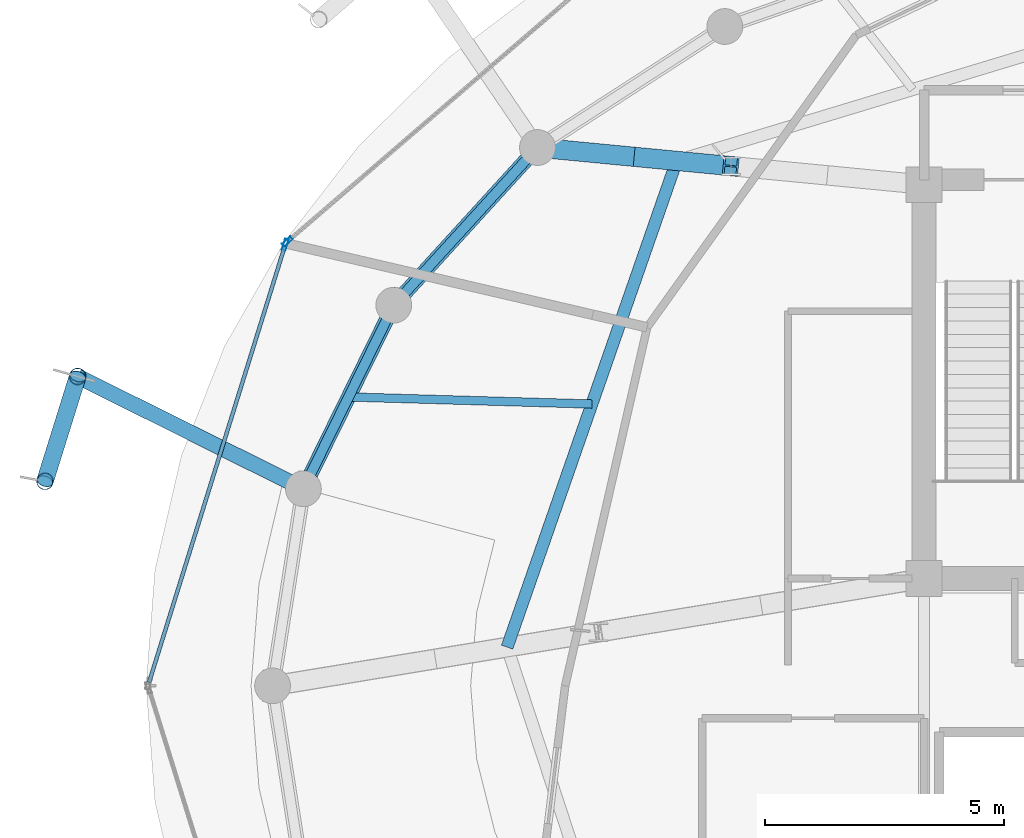
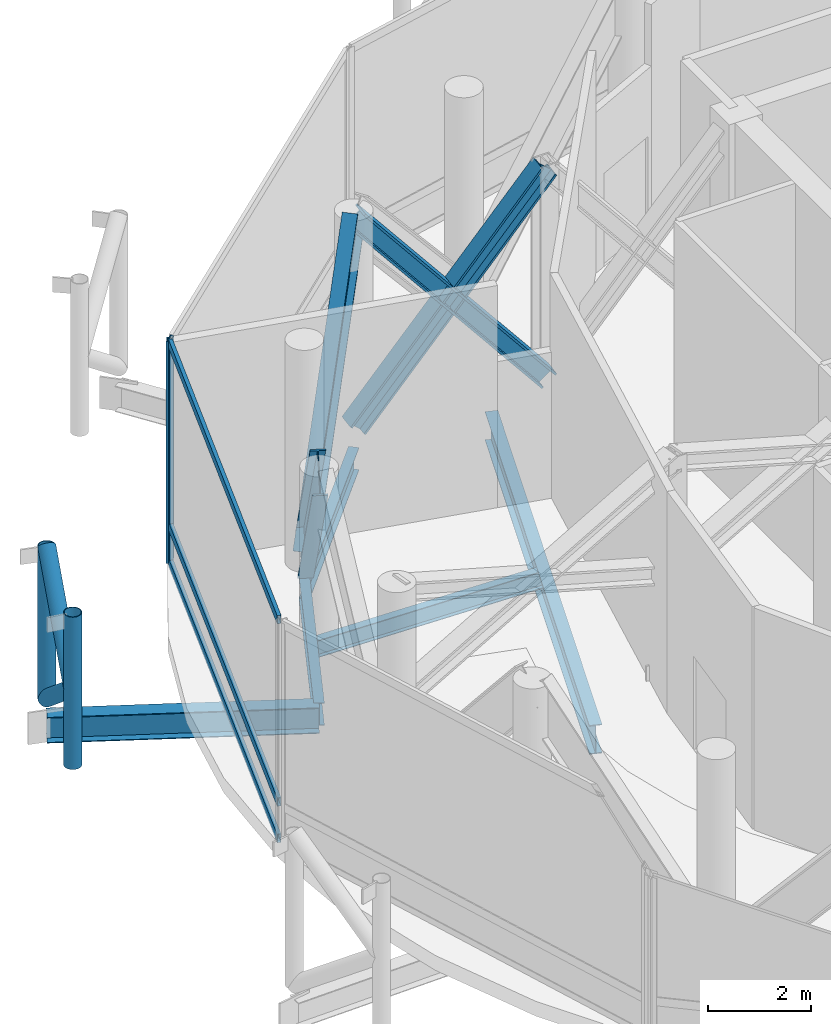
# One storey, part 7 of 26: 13 members, 5 beams, 2 elements without a shape of their own.
"""IFC4 building model written with IfcOpenShell, lengths in metres."""

from ifc_helpers import new_model, si_unit, direction, frame, origin, origin_2d, place, context, subcontext, project, spatial, hollow_rectangle, hollow_circle, i_section, extrude, material, layer, layer_set, material_profile, profile_set, type_object, element, aggregate, save


model = new_model("IFC4")

# Units and contexts
model_context = context("Model", 3, precision=1e-05, world=origin(), true_north=direction((0.0, 1.0)))
body_context = subcontext(model_context, "Body", "Model", "MODEL_VIEW")
ifc_project = project(units=[si_unit("LENGTHUNIT", "METRE"), si_unit("AREAUNIT", "SQUARE_METRE"), si_unit("VOLUMEUNIT", "CUBIC_METRE"), si_unit("PLANEANGLEUNIT", "RADIAN"), si_unit("MASSUNIT", "GRAM", prefix="KILO")], contexts=[model_context])

# Site, building, storey
site_placement = place(None, origin())
site = spatial("IfcSite", under=ifc_project, at=site_placement, CompositionType="ELEMENT")
building_placement = place(site_placement, origin())
building = spatial("IfcBuilding", under=site, at=building_placement, Name="Nuhasar Tower", CompositionType="ELEMENT")
storey_placement = place(building_placement, frame((0.0, 0.0, 301.199951171875)))
storey = spatial("IfcBuildingStorey", under=building, at=storey_placement, Name="L75", CompositionType="ELEMENT", Elevation=301.199951171875)

# Members
ifc_material_1 = material(Name="Steel S460", Category="steel")
ifc_material_profile_1 = material_profile(ifc_material_1, i_section(OverallWidth=0.306884765625, OverallDepth=0.927001953125, WebThickness=0.019287109375, FlangeThickness=0.031982421875, at=origin_2d()), Name="W36X194")
ifc_profile_set_1 = profile_set([ifc_material_profile_1], Name="Steel S460")
member_type_1 = type_object("IfcMemberType", Name="BLT-DIAG-W36B", PredefinedType="CHORD", material=ifc_profile_set_1)
member_1_placement = place(storey_placement, frame((22.589111328125, 34.77490234375, 0.150146484375), z_axis=(0.451478957779, 0.495261397858, 0.742214860047), x_axis=(-0.739017432293, 0.673686302939, 0.0)))
element("IfcMember", 1, at=member_1_placement, inside=storey, type_object=member_type_1, Name="L75 Belt Truss Diagonal 10", PredefinedType="CHORD", context=body_context, shape_type="SweptSolid", body=[
    extrude(i_section(OverallWidth=0.306884765625, OverallDepth=0.927001953125, WebThickness=0.019287109375, FlangeThickness=0.031982421875, at=origin_2d()), origin(), (0.0, 0.0, 1.0), 6.669189453125),
])
member_2_placement = place(storey_placement, frame((22.589111328125, 34.77490234375, 0.150146484375), z_axis=(-0.289078285909, -0.587439586157, 0.75587596683), x_axis=(0.897244952377, -0.441533119295, 0.0)))
element("IfcMember", 2, at=member_2_placement, inside=storey, type_object=member_type_1, Name="L75 Belt Truss Diagonal 11", PredefinedType="CHORD", context=body_context, shape_type="SweptSolid", body=[
    extrude(i_section(OverallWidth=0.306884765625, OverallDepth=0.927001953125, WebThickness=0.019287109375, FlangeThickness=0.031982421875, at=origin_2d()), origin(), (0.0, 0.0, 1.0), 6.548583984375),
])

# Beams
ifc_material_2 = material(Name="Steel S355", Category="steel")
ifc_material_profile_2 = material_profile(ifc_material_2, i_section(OverallWidth=0.25390625, OverallDepth=0.68408203125, WebThickness=0.012451171875, FlangeThickness=0.018798828125, at=origin_2d()), Name="W27X94")
ifc_profile_set_2 = profile_set([ifc_material_profile_2], Name="Steel S355")
beam_type_1 = type_object("IfcBeamType", Name="BM-INRING-W27X94", PredefinedType="BEAM", material=ifc_profile_set_2)
beam_1_placement = place(storey_placement, frame((28.51611328125, 37.798095703125, -0.69189453125), z_axis=(-0.329211236979, -0.944256300718, 0.0), x_axis=(0.944256300718, -0.329211236979, 0.0)))
element("IfcBeam", 3, at=beam_1_placement, inside=storey, type_object=beam_type_1, Name="L75 Inner Header Beam 07", PredefinedType="BEAM", context=body_context, shape_type="SweptSolid", body=[
    extrude(i_section(OverallWidth=0.25390625, OverallDepth=0.68408203125, WebThickness=0.012451171875, FlangeThickness=0.018798828125, at=origin_2d()), origin(), (0.0, 0.0, 1.0), 10.78955078125),
])
ifc_material_profile_3 = material_profile(ifc_material_2, i_section(OverallWidth=0.177978515625, OverallDepth=0.406005859375, WebThickness=0.0078125, FlangeThickness=0.0126953125, at=origin_2d()), Name="W16X40")
ifc_profile_set_3 = profile_set([ifc_material_profile_3], Name="Steel S355")
beam_type_2 = type_object("IfcBeamType", Name="BM-JST-W16X40", PredefinedType="JOIST", material=ifc_profile_set_3)
beam_2_placement = place(storey_placement, frame((26.739990234375, 32.7041015625, -0.552978515625), z_axis=(-0.999579139243, 0.02900938453, 0.0), x_axis=(-0.02900938453, -0.999579139243, 0.0)))
element("IfcBeam", 4, at=beam_2_placement, inside=storey, type_object=beam_type_2, Name="L75 Secondary Floor Joist 07", PredefinedType="JOIST", context=body_context, shape_type="SweptSolid", body=[
    extrude(i_section(OverallWidth=0.177978515625, OverallDepth=0.406005859375, WebThickness=0.0078125, FlangeThickness=0.0126953125, at=origin_2d()), origin(), (0.0, 0.0, 1.0), 5.10009765625),
])
ifc_material_profile_4 = material_profile(ifc_material_2, i_section(OverallWidth=0.2099609375, OverallDepth=0.537109375, WebThickness=0.010986328125, FlangeThickness=0.017333984375, at=origin_2d()), Name="W21X68")
ifc_profile_set_4 = profile_set([ifc_material_profile_4], Name="Steel S355")
beam_type_3 = type_object("IfcBeamType", Name="BM-RING-W21X68", PredefinedType="SPANDREL", material=ifc_profile_set_4)
beam_3_placement = place(storey_placement, frame((25.60009765625, 38.077880859375, -0.617919921875), z_axis=(-0.673686302939, -0.739017432293, 0.0), x_axis=(0.739017432293, -0.673686302939, 0.0)))
element("IfcBeam", 5, at=beam_3_placement, inside=storey, type_object=beam_type_3, Name="L75 Perimeter Ring Spandrel 10", PredefinedType="SPANDREL", context=body_context, shape_type="SweptSolid", body=[
    extrude(i_section(OverallWidth=0.2099609375, OverallDepth=0.537109375, WebThickness=0.010986328125, FlangeThickness=0.017333984375, at=origin_2d()), origin(), (0.0, 0.0, 1.0), 4.469482421875),
])
beam_4_placement = place(storey_placement, frame((22.589111328125, 34.77490234375, -0.617919921875), z_axis=(-0.441533119295, -0.897244952377, 0.0), x_axis=(0.897244952377, -0.441533119295, 0.0)))
element("IfcBeam", 6, at=beam_4_placement, inside=storey, type_object=beam_type_3, Name="L75 Perimeter Ring Spandrel 11", PredefinedType="SPANDREL", context=body_context, shape_type="SweptSolid", body=[
    extrude(i_section(OverallWidth=0.2099609375, OverallDepth=0.537109375, WebThickness=0.010986328125, FlangeThickness=0.017333984375, at=origin_2d()), origin(), (0.0, 0.0, 1.0), 4.28759765625),
])
ifc_material_profile_5 = material_profile(ifc_material_2, i_section(OverallWidth=0.323974609375, OverallDepth=0.611083984375, WebThickness=0.0126953125, FlangeThickness=0.01904296875, at=origin_2d()), Name="W24X104")
ifc_profile_set_5 = profile_set([ifc_material_profile_5], Name="Steel S355")
beam_type_4 = type_object("IfcBeamType", Name="BM-TIE-W24X104", PredefinedType="BEAM", material=ifc_profile_set_5)
beam_5_placement = place(storey_placement, frame((20.696044921875, 30.927978515625, -0.655029296875), z_axis=(-0.895294451274, 0.445474853969, 0.0), x_axis=(-0.445474853969, -0.895294451274, 0.0)))
element("IfcBeam", 7, at=beam_5_placement, inside=storey, type_object=beam_type_4, Name="L75 Exoskeleton Node Tie Beam 06", PredefinedType="BEAM", context=body_context, shape_type="SweptSolid", body=[
    extrude(i_section(OverallWidth=0.323974609375, OverallDepth=0.611083984375, WebThickness=0.0126953125, FlangeThickness=0.01904296875, at=origin_2d()), origin(), (0.0, 0.0, 1.0), 5.281982421875),
])

# Curtain wall, member
ifc_material_3 = material(Name="Aluminium 6063-T6", Category="aluminium")
ifc_layer = layer(ifc_material_3, 0.219970703125)
ifc_layer_set = layer_set([ifc_layer], Name="Aluminium 6063-T6")
curtain_wall_type = type_object("IfcCurtainWallType", Name="CW-CROWN", PredefinedType="NOTDEFINED", material=ifc_layer_set)
curtain_wall_1_placement = place(storey_placement, origin())
curtain_wall_1 = element("IfcCurtainWall", 8, at=curtain_wall_1_placement, inside=storey, type_object=curtain_wall_type, Name="L75 Unitised Curtain Wall 05", PredefinedType="NOTDEFINED")
ifc_material_profile_6 = material_profile(ifc_material_3, hollow_rectangle(XDim=0.080078125, YDim=0.239990234375, WallThickness=0.0048828125, at=origin_2d()), Name="CWM-7")
ifc_profile_set_6 = profile_set([ifc_material_profile_6], Name="Aluminium 6063-T6")
member_type_2 = type_object("IfcMemberType", Name="CW-MUL-S7", PredefinedType="MULLION", material=ifc_profile_set_6)
member_3_placement = place(storey_placement, frame((20.3583984375, 36.106201171875, 0.0), z_axis=(0.0, 0.0, 1.0), x_axis=(0.652363814796, -0.757905965898, 0.0)))
member_3 = element("IfcMember", 9, at=member_3_placement, type_object=member_type_2, Name="CW-CR mullion 2", PredefinedType="MULLION", context=body_context, shape_type="SweptSolid", body=[
    extrude(hollow_rectangle(XDim=0.080078125, YDim=0.239990234375, WallThickness=0.0048828125, at=origin_2d()), origin(), (0.0, 0.0, 1.0), 5.25),
])
aggregate(curtain_wall_1, [member_3])

# Curtain wall, members
curtain_wall_2_placement = place(storey_placement, origin())
curtain_wall_2 = element("IfcCurtainWall", 10, at=curtain_wall_2_placement, inside=storey, type_object=curtain_wall_type, Name="L75 Unitised Curtain Wall 06", PredefinedType="NOTDEFINED")
member_4_placement = place(storey_placement, frame((20.316162109375, 36.041748046875, 0.0), z_axis=(0.0, 0.0, 1.0), x_axis=(0.954830829827, -0.297149939275, 0.0)))
member_4 = element("IfcMember", 11, at=member_4_placement, type_object=member_type_2, Name="CW-CR mullion 1", PredefinedType="MULLION", context=body_context, shape_type="SweptSolid", body=[
    extrude(hollow_rectangle(XDim=0.080078125, YDim=0.239990234375, WallThickness=0.0048828125, at=origin_2d()), origin(), (0.0, 0.0, 1.0), 5.25),
])
ifc_material_profile_7 = material_profile(ifc_material_3, hollow_rectangle(XDim=0.080078125, YDim=0.199951171875, WallThickness=0.00439453125, at=origin_2d()), Name="CWT-7")
ifc_profile_set_7 = profile_set([ifc_material_profile_7], Name="Aluminium 6063-T6")
member_type_3 = type_object("IfcMemberType", Name="CW-TRN-S7", PredefinedType="USERDEFINED", material=ifc_profile_set_7)
member_5_placement = place(storey_placement, frame((20.30419921875, 36.003662109375, 0.0400390625), z_axis=(-0.297138999145, -0.954834234403, 0.0), x_axis=(0.954834234403, -0.297138999145, 0.0)))
member_5 = element("IfcMember", 12, at=member_5_placement, type_object=member_type_3, Name="CW-CR transom 1.1", ObjectType="TRANSOM", PredefinedType="USERDEFINED", context=body_context, shape_type="SweptSolid", body=[
    extrude(hollow_rectangle(XDim=0.080078125, YDim=0.199951171875, WallThickness=0.00439453125, at=origin_2d()), origin(), (0.0, 0.0, 1.0), 9.558837890625),
])
member_6_placement = place(storey_placement, frame((20.30419921875, 36.003662109375, 0.900146484375), z_axis=(-0.297138999145, -0.954834234403, 0.0), x_axis=(0.954834234403, -0.297138999145, 0.0)))
member_6 = element("IfcMember", 13, at=member_6_placement, type_object=member_type_3, Name="CW-CR transom 1.2", ObjectType="TRANSOM", PredefinedType="USERDEFINED", context=body_context, shape_type="SweptSolid", body=[
    extrude(hollow_rectangle(XDim=0.080078125, YDim=0.199951171875, WallThickness=0.00439453125, at=origin_2d()), origin(), (0.0, 0.0, 1.0), 9.558837890625),
])
member_7_placement = place(storey_placement, frame((20.30419921875, 36.003662109375, 5.2099609375), z_axis=(-0.297138999145, -0.954834234403, 0.0), x_axis=(0.954834234403, -0.297138999145, 0.0)))
member_7 = element("IfcMember", 14, at=member_7_placement, type_object=member_type_3, Name="CW-CR transom 1.3", ObjectType="TRANSOM", PredefinedType="USERDEFINED", context=body_context, shape_type="SweptSolid", body=[
    extrude(hollow_rectangle(XDim=0.080078125, YDim=0.199951171875, WallThickness=0.00439453125, at=origin_2d()), origin(), (0.0, 0.0, 1.0), 9.558837890625),
])
aggregate(curtain_wall_2, [member_4, member_5, member_6, member_7])

# Members
ifc_material_profile_8 = material_profile(ifc_material_1, hollow_circle(Radius=0.177734375, WallThickness=0.015869140625, at=origin_2d()), Name="HSS355.6X15.9")
ifc_profile_set_8 = profile_set([ifc_material_profile_8], Name="Steel S460")
member_type_4 = type_object("IfcMemberType", Name="EXO-BRONZE-356", PredefinedType="BRACE", material=ifc_profile_set_8)
for number, where, z_axis, x_axis, name in (
    (15, (15.967041015625, 33.281005859375, 0.0), (0.0, 0.0, 1.0), (1.0, 0.0, 0.0), "L75 Exoskeleton Chord Column EC-06A"),
    (16, (15.281982421875, 31.0859375, 0.0), (0.0, 0.0, 1.0), (1.0, 0.0, 0.0), "L75 Exoskeleton Chord Column EC-06B"),
):
    element("IfcMember", number, at=place(storey_placement, frame(where, z_axis=z_axis, x_axis=x_axis)), inside=storey, type_object=member_type_4, Name=name, PredefinedType="BRACE", context=body_context, shape_type="SweptSolid", body=[
        extrude(hollow_circle(Radius=0.177734375, WallThickness=0.015869140625, at=origin_2d()), origin(), (0.0, 0.0, 1.0), 3.60009765625),
    ])
for number, where, z_axis, x_axis, name in (
    (17, (15.967041015625, 33.281005859375, 0.0), (-0.234589764126, -0.751673759536, 0.616404251925), (0.954591372974, -0.297918295247, 0.0), "L75 Bronze Diagrid Brace W1-06"),
    (18, (15.281982421875, 31.0859375, 1.800048828125), (0.234589764126, 0.751673759536, 0.616404251925), (-0.954591372974, 0.297918295247, 0.0), "L75 Bronze Diagrid Brace W2-06"),
):
    element("IfcMember", number, at=place(storey_placement, frame(where, z_axis=z_axis, x_axis=x_axis)), inside=storey, type_object=member_type_4, Name=name, PredefinedType="BRACE", context=body_context, shape_type="SweptSolid", body=[
        extrude(hollow_circle(Radius=0.177734375, WallThickness=0.015869140625, at=origin_2d()), origin(), (0.0, 0.0, 1.0), 2.920166015625),
    ])
ifc_material_profile_9 = material_profile(ifc_material_1, i_section(OverallWidth=0.406005859375, OverallDepth=0.416015625, WebThickness=0.02978515625, FlangeThickness=0.048095703125, at=origin_2d()), Name="W14X257")
ifc_profile_set_9 = profile_set([ifc_material_profile_9], Name="Steel S460")
member_type_5 = type_object("IfcMemberType", Name="OUT-DIAG-W14B", PredefinedType="STRUT", material=ifc_profile_set_9)
for number, where, z_axis, x_axis, name in (
    (19, (29.64990234375, 37.68896484375, 0.150146484375), (-0.632055672443, 0.060698377514, 0.772542124353), (-0.095593488485, -0.99542045637, 0.0), "L75 Outrigger Truss Diagonal OUT1-07"),
    (20, (25.60009765625, 38.077880859375, 0.150146484375), (0.632055672443, -0.060698377514, 0.772542124353), (0.095593488485, 0.99542045637, 0.0), "L75 Outrigger Truss Diagonal OUT2-07"),
):
    element("IfcMember", number, at=place(storey_placement, frame(where, z_axis=z_axis, x_axis=x_axis)), inside=storey, type_object=member_type_5, Name=name, PredefinedType="STRUT", context=body_context, shape_type="SweptSolid", body=[
        extrude(i_section(OverallWidth=0.406005859375, OverallDepth=0.416015625, WebThickness=0.02978515625, FlangeThickness=0.048095703125, at=origin_2d()), origin(), (0.0, 0.0, 1.0), 6.407470703125),
    ])

save(model, "model.ifc")
